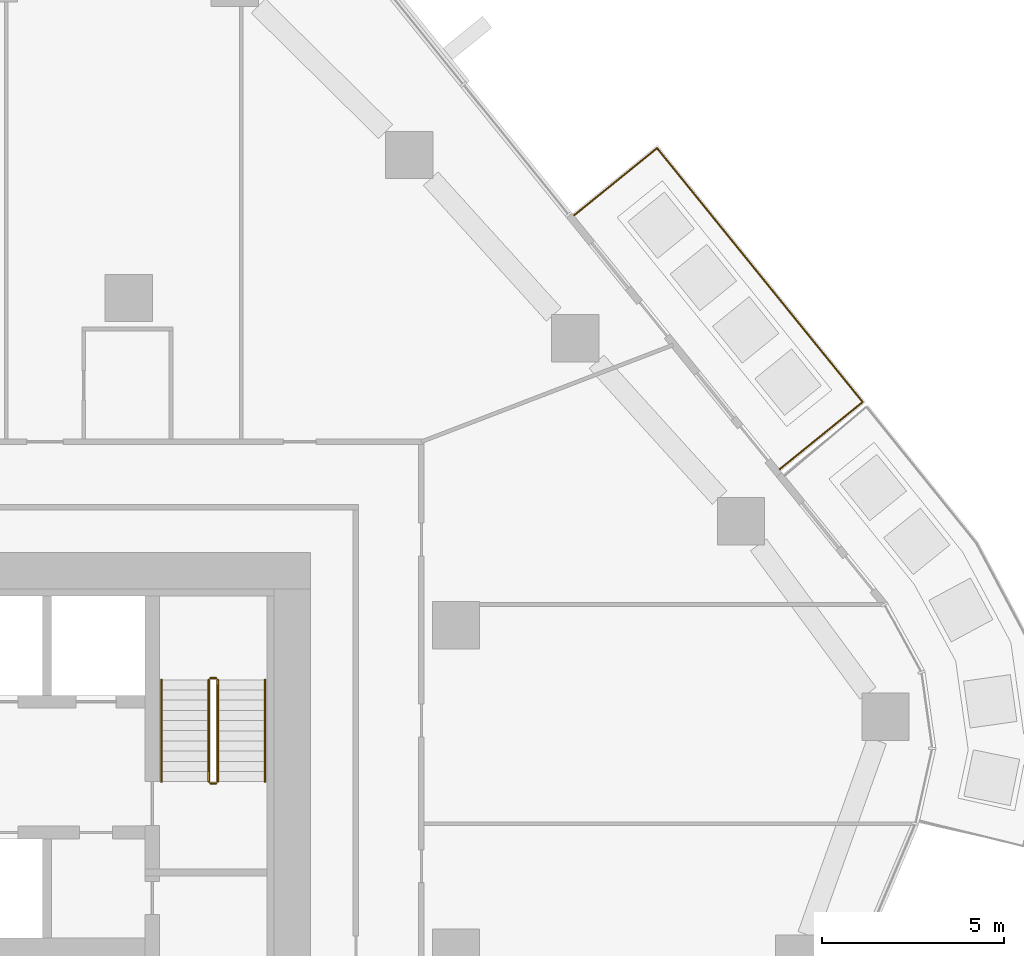
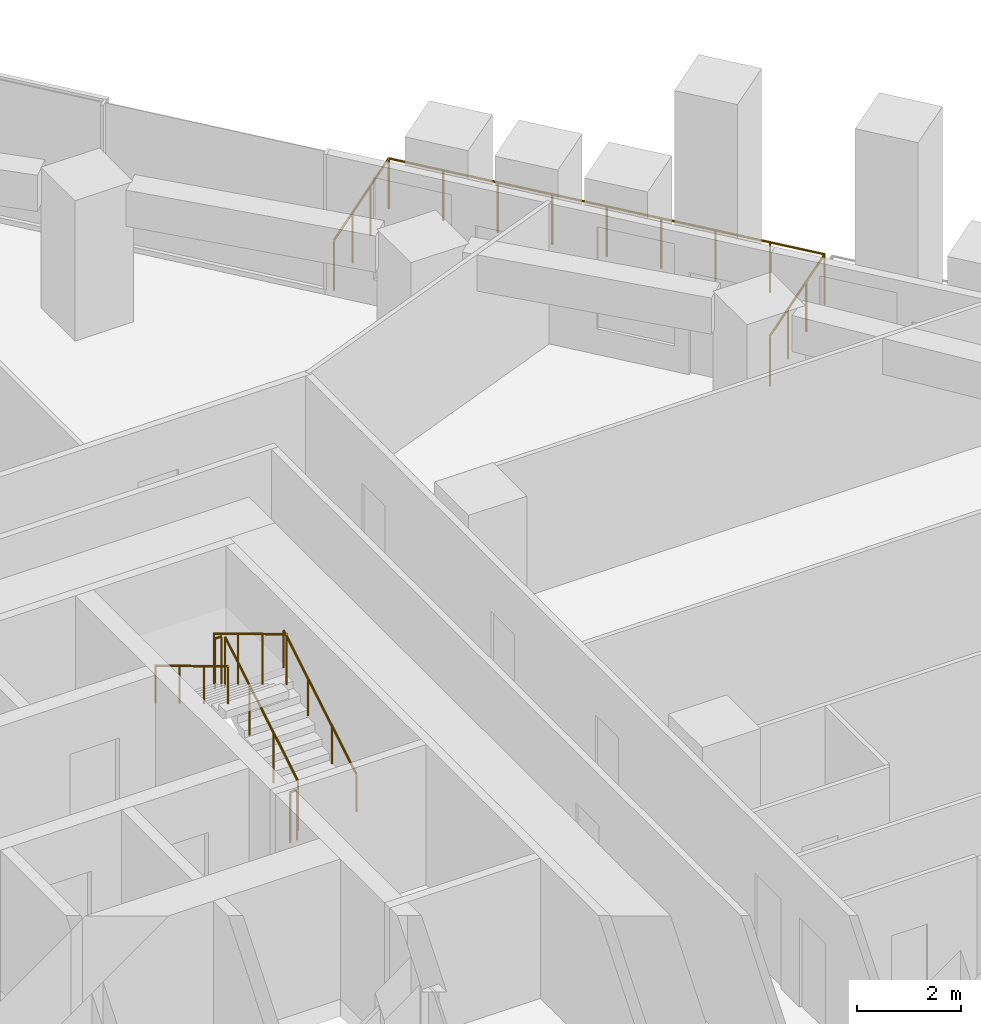
# One storey, part 23 of 24: 7 railings.
"""IFC4 building model written with IfcOpenShell, lengths in metres."""

from ifc_helpers import new_model, si_unit, direction, frame, origin, origin_2d, place, context, subcontext, project, spatial, circle, extrude, material, type_object, element, save


model = new_model("IFC4")

# Units and contexts
model_context = context("Model", 3, precision=1e-05, world=origin(), true_north=direction((0.0, 1.0)))
body_context = subcontext(model_context, "Body", "Model", "MODEL_VIEW")
ifc_project = project(units=[si_unit("LENGTHUNIT", "METRE"), si_unit("AREAUNIT", "SQUARE_METRE"), si_unit("VOLUMEUNIT", "CUBIC_METRE"), si_unit("PLANEANGLEUNIT", "RADIAN"), si_unit("MASSUNIT", "GRAM", prefix="KILO")], contexts=[model_context])

# Site, building, storey
site_placement = place(None, origin())
site = spatial("IfcSite", under=ifc_project, at=site_placement, CompositionType="ELEMENT")
building_placement = place(site_placement, origin())
building = spatial("IfcBuilding", under=site, at=building_placement, Name="Dongbaek Canopy Tower", CompositionType="ELEMENT")
storey_placement = place(building_placement, frame((0.0, 0.0, 124.800048828125)))
storey = spatial("IfcBuildingStorey", under=building, at=storey_placement, Name="L27", CompositionType="ELEMENT", Elevation=124.800048828125)

# Railings
ifc_material_1 = material(Name="Stainless steel", Category="steel")
railing_type_1 = type_object("IfcRailingType", Name="Balcony balustrade 1200", PredefinedType="BALUSTRADE", material=ifc_material_1)
railing_1_placement = place(storey_placement, frame((26.90087890625, 13.290283203125, 0.0)))
element("IfcRailing", 1, at=railing_1_placement, inside=storey, type_object=railing_type_1, Name="Balcony guard L27 1", PredefinedType="BALUSTRADE", context=body_context, shape_type="SweptSolid", body=[
    extrude(circle(Radius=0.02392578125, at=origin_2d()), frame((0.0, 0.0, 1.17578125), z_axis=(0.777177182416, 0.629281834421, 0.0), x_axis=(-0.629281834421, 0.777177182416, 0.0)), (0.0, 0.0, 1.0), 2.93994140625),
    extrude(circle(Radius=0.02392578125, at=origin_2d()), frame((2.284912109375, 1.85009765625, 1.17578125), z_axis=(-0.629313122645, 0.777151847239, 0.0), x_axis=(-0.777151847239, -0.629313122645, 0.0)), (0.0, 0.0, 1.0), 8.9853515625),
    extrude(circle(Radius=0.02392578125, at=origin_2d()), frame((-3.36962890625, 8.8330078125, 1.17578125), z_axis=(-0.777144295509, -0.629322448319, 0.0), x_axis=(0.629322448319, -0.777144295509, 0.0)), (0.0, 0.0, 1.0), 2.93994140625),
    extrude(circle(Radius=0.02099609375, at=origin_2d()), origin(), (0.0, 0.0, 1.0), 1.15185546875),
    extrude(circle(Radius=0.02099609375, at=origin_2d()), frame((0.76171875, 0.61669921875, 0.0)), (0.0, 0.0, 1.0), 1.15185546875),
    extrude(circle(Radius=0.02099609375, at=origin_2d()), frame((1.523193359375, 1.2333984375, 0.0)), (0.0, 0.0, 1.0), 1.15185546875),
    extrude(circle(Radius=0.02099609375, at=origin_2d()), frame((2.284912109375, 1.85009765625, 0.0)), (0.0, 0.0, 1.0), 1.15185546875),
    extrude(circle(Radius=0.02099609375, at=origin_2d()), frame((1.578125, 2.722900390625, 0.0)), (0.0, 0.0, 1.0), 1.15185546875),
    extrude(circle(Radius=0.02099609375, at=origin_2d()), frame((0.871337890625, 3.595703125, 0.0)), (0.0, 0.0, 1.0), 1.15185546875),
    extrude(circle(Radius=0.02099609375, at=origin_2d()), frame((0.16455078125, 4.46875, 0.0)), (0.0, 0.0, 1.0), 1.15185546875),
    extrude(circle(Radius=0.02099609375, at=origin_2d()), frame((-0.54248046875, 5.341552734375, 0.0)), (0.0, 0.0, 1.0), 1.15185546875),
    extrude(circle(Radius=0.02099609375, at=origin_2d()), frame((-1.249267578125, 6.21435546875, 0.0)), (0.0, 0.0, 1.0), 1.15185546875),
    extrude(circle(Radius=0.02099609375, at=origin_2d()), frame((-1.9560546875, 7.08740234375, 0.0)), (0.0, 0.0, 1.0), 1.15185546875),
    extrude(circle(Radius=0.02099609375, at=origin_2d()), frame((-2.662841796875, 7.960205078125, 0.0)), (0.0, 0.0, 1.0), 1.15185546875),
    extrude(circle(Radius=0.02099609375, at=origin_2d()), frame((-3.36962890625, 8.8330078125, 0.0)), (0.0, 0.0, 1.0), 1.15185546875),
    extrude(circle(Radius=0.02099609375, at=origin_2d()), frame((-4.131103515625, 8.21630859375, 0.0)), (0.0, 0.0, 1.0), 1.15185546875),
    extrude(circle(Radius=0.02099609375, at=origin_2d()), frame((-4.892822265625, 7.599609375, 0.0)), (0.0, 0.0, 1.0), 1.15185546875),
    extrude(circle(Radius=0.02099609375, at=origin_2d()), frame((-5.654296875, 6.98291015625, 0.0)), (0.0, 0.0, 1.0), 1.15185546875),
])
ifc_material_2 = material(Name="Stainless steel tube and balusters", Category="steel")
railing_type_2 = type_object("IfcRailingType", Name="Stair guard 1200", PredefinedType="GUARDRAIL", material=ifc_material_2)
railing_2_placement = place(storey_placement, frame((11.449951171875, 4.699951171875, 0.168212890625)))
element("IfcRailing", 2, at=railing_2_placement, inside=storey, type_object=railing_type_2, Name="L27 ST-A stair guard 1", PredefinedType="GUARDRAIL", context=body_context, shape_type="SweptSolid", body=[
    extrude(circle(Radius=0.02392578125, at=origin_2d()), frame((0.0, 0.0, 1.17578125), z_axis=(0.0, 0.857275202839, 0.514858452973), x_axis=(-1.0, 0.0, 0.0)), (0.0, 0.0, 1.0), 3.26611328125),
    extrude(circle(Radius=0.02099609375, at=origin_2d()), origin(), (0.0, 0.0, 1.0), 1.15185546875),
    extrude(circle(Radius=0.02099609375, at=origin_2d()), frame((0.0, 0.933349609375, 0.560546875)), (0.0, 0.0, 1.0), 1.15185546875),
    extrude(circle(Radius=0.02099609375, at=origin_2d()), frame((0.0, 1.86669921875, 1.12109375)), (0.0, 0.0, 1.0), 1.15185546875),
    extrude(circle(Radius=0.02099609375, at=origin_2d()), frame((0.0, 2.800048828125, 1.681640625)), (0.0, 0.0, 1.0), 1.15185546875),
])
railing_3_placement = place(storey_placement, frame((11.39990234375, 7.550048828125, 1.849853515625)))
element("IfcRailing", 3, at=railing_3_placement, inside=storey, type_object=railing_type_2, Name="L27 ST-A stair guard 2", PredefinedType="GUARDRAIL", context=body_context, shape_type="SweptSolid", body=[
    extrude(circle(Radius=0.02392578125, at=origin_2d()), frame((0.0, 0.0, 1.17578125), z_axis=(-1.0, 0.0, 0.0), x_axis=(0.0, -1.0, 0.0)), (0.0, 0.0, 1.0), 0.14990234375),
    extrude(circle(Radius=0.02099609375, at=origin_2d()), origin(), (0.0, 0.0, 1.0), 1.15185546875),
    extrude(circle(Radius=0.02099609375, at=origin_2d()), frame((-0.14990234375, 0.0, 0.0)), (0.0, 0.0, 1.0), 1.15185546875),
])
railing_4_placement = place(storey_placement, frame((11.199951171875, 7.5, 2.01806640625)))
element("IfcRailing", 4, at=railing_4_placement, inside=storey, type_object=railing_type_2, Name="L27 ST-A stair guard 3", PredefinedType="GUARDRAIL", context=body_context, shape_type="SweptSolid", body=[
    extrude(circle(Radius=0.02392578125, at=origin_2d()), frame((0.0, 0.0, 1.17578125), z_axis=(0.0, -0.857242210791, 0.514913383045), x_axis=(1.0, 0.0, 0.0)), (0.0, 0.0, 1.0), 3.266357421875),
    extrude(circle(Radius=0.02099609375, at=origin_2d()), origin(), (0.0, 0.0, 1.0), 1.15185546875),
    extrude(circle(Radius=0.02099609375, at=origin_2d()), frame((0.0, -0.933349609375, 0.560546875)), (0.0, 0.0, 1.0), 1.15185546875),
    extrude(circle(Radius=0.02099609375, at=origin_2d()), frame((0.0, -1.86669921875, 1.121337890625)), (0.0, 0.0, 1.0), 1.15185546875),
    extrude(circle(Radius=0.02099609375, at=origin_2d()), frame((0.0, -2.800048828125, 1.681884765625)), (0.0, 0.0, 1.0), 1.15185546875),
])
railing_5_placement = place(storey_placement, frame((11.39990234375, 4.64990234375, 0.0)))
element("IfcRailing", 5, at=railing_5_placement, inside=storey, type_object=railing_type_2, Name="L27 ST-A stair guard 4", PredefinedType="GUARDRAIL", context=body_context, shape_type="SweptSolid", body=[
    extrude(circle(Radius=0.02392578125, at=origin_2d()), frame((0.0, 0.0, 1.17578125), z_axis=(-1.0, 0.0, 0.0), x_axis=(0.0, -1.0, 0.0)), (0.0, 0.0, 1.0), 0.14990234375),
    extrude(circle(Radius=0.02099609375, at=origin_2d()), origin(), (0.0, 0.0, 1.0), 1.15185546875),
    extrude(circle(Radius=0.02099609375, at=origin_2d()), frame((-0.14990234375, 0.0, 0.0)), (0.0, 0.0, 1.0), 1.15185546875),
])
ifc_material_3 = material(Name="Stainless steel tube", Category="steel")
railing_type_3 = type_object("IfcRailingType", Name="Stair handrail 900", PredefinedType="HANDRAIL", material=ifc_material_3)
railing_6_placement = place(storey_placement, frame((12.75, 4.699951171875, 0.168212890625)))
element("IfcRailing", 6, at=railing_6_placement, inside=storey, type_object=railing_type_3, Name="L27 ST-A stair handrail 1", PredefinedType="HANDRAIL", context=body_context, shape_type="SweptSolid", body=[
    extrude(circle(Radius=0.02392578125, at=origin_2d()), frame((0.0, 0.0, 0.8759765625), z_axis=(0.0, 0.857275202839, 0.514858452973), x_axis=(-1.0, 0.0, 0.0)), (0.0, 0.0, 1.0), 3.26611328125),
    extrude(circle(Radius=0.02099609375, at=origin_2d()), origin(), (0.0, 0.0, 1.0), 0.851806640625),
    extrude(circle(Radius=0.02099609375, at=origin_2d()), frame((0.0, 0.933349609375, 0.560546875)), (0.0, 0.0, 1.0), 0.851806640625),
    extrude(circle(Radius=0.02099609375, at=origin_2d()), frame((0.0, 1.86669921875, 1.12109375)), (0.0, 0.0, 1.0), 0.851806640625),
    extrude(circle(Radius=0.02099609375, at=origin_2d()), frame((0.0, 2.800048828125, 1.681640625)), (0.0, 0.0, 1.0), 0.851806640625),
])
railing_7_placement = place(storey_placement, frame((9.89990234375, 7.5, 2.01806640625)))
element("IfcRailing", 7, at=railing_7_placement, inside=storey, type_object=railing_type_3, Name="L27 ST-A stair handrail 2", PredefinedType="HANDRAIL", context=body_context, shape_type="SweptSolid", body=[
    extrude(circle(Radius=0.02392578125, at=origin_2d()), frame((0.0, 0.0, 0.8759765625), z_axis=(0.0, -0.857242210791, 0.514913383045), x_axis=(1.0, 0.0, 0.0)), (0.0, 0.0, 1.0), 3.266357421875),
    extrude(circle(Radius=0.02099609375, at=origin_2d()), origin(), (0.0, 0.0, 1.0), 0.851806640625),
    extrude(circle(Radius=0.02099609375, at=origin_2d()), frame((0.0, -0.933349609375, 0.560546875)), (0.0, 0.0, 1.0), 0.851806640625),
    extrude(circle(Radius=0.02099609375, at=origin_2d()), frame((0.0, -1.86669921875, 1.121337890625)), (0.0, 0.0, 1.0), 0.851806640625),
    extrude(circle(Radius=0.02099609375, at=origin_2d()), frame((0.0, -2.800048828125, 1.681884765625)), (0.0, 0.0, 1.0), 0.851806640625),
])

save(model, "model.ifc")
